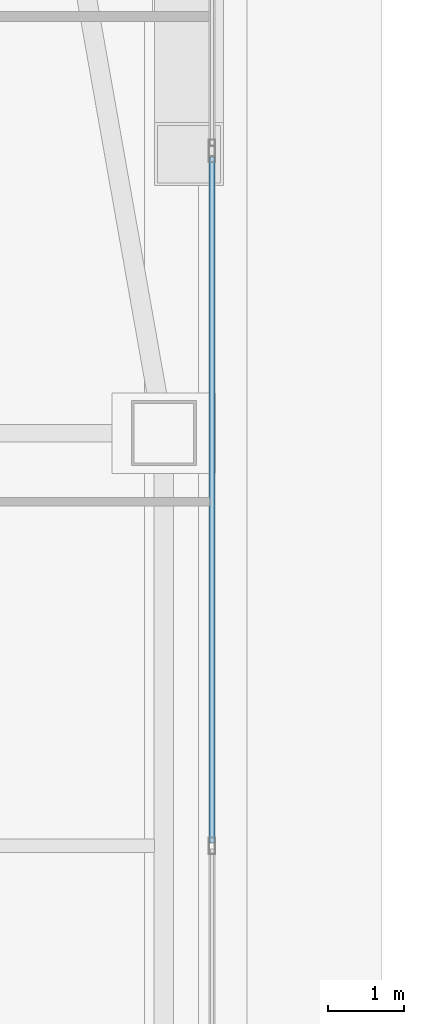
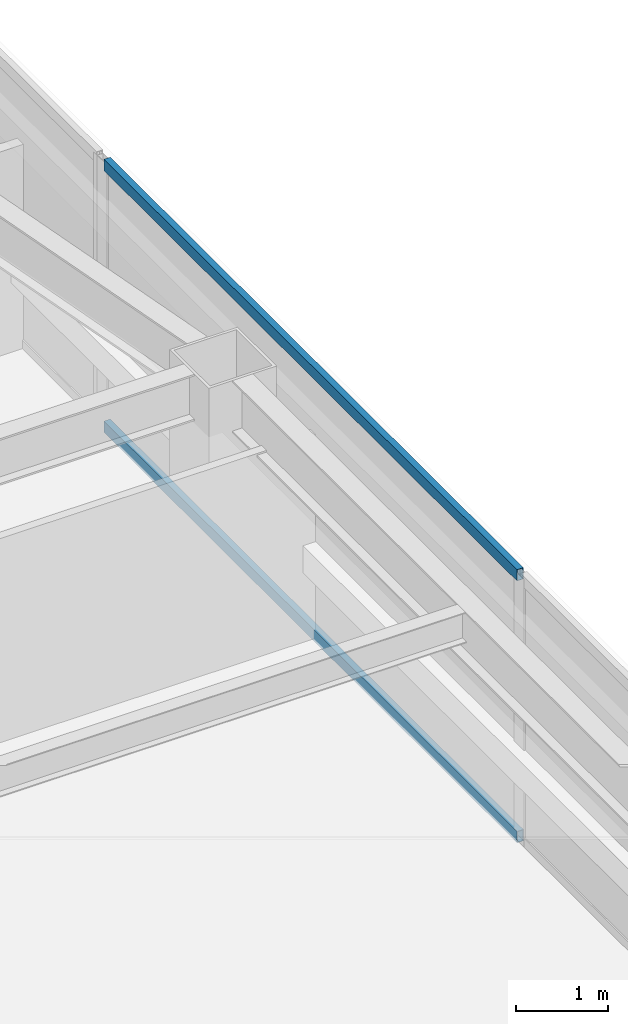
# One storey, part 18 of 67: 2 members, 1 element without a shape of its own.
"""IFC4 building model written with IfcOpenShell, lengths in metres."""

import ifcopenshell
import ifcopenshell.guid

model = None  # the IFC model being written
_history = None  # IfcOwnerHistory: only IFC2X3 demands one
_inside = {}  # id of a spatial element -> (the spatial element, [elements in it])
_under = {}  # id of a project, library or spatial element -> (it, [spatial elements below it])
_declared = {}  # id of a project -> (the project, [libraries it declares])
_typed = {}  # id of a type object -> (the type object, [elements of that type])
_made_of = {}  # id of a material, layer set ... -> (it, [elements and type objects made of it])


def new_model(schema):
    """Start an empty IFC model of exactly this schema.

    Asked for "IFC4X3", IfcOpenShell would pick the latest addendum, in which some entities
    have other attributes; the version numbers below select the first issue.
    IFC2X3 requires an IfcOwnerHistory on every rooted entity: one is made here for all.
    """
    global model, _history
    if schema == "IFC4X3":
        model = ifcopenshell.file(schema_version=(4, 3, 0, 0))
    else:
        model = ifcopenshell.file(schema=schema)
    _inside.clear()
    _under.clear()
    _declared.clear()
    _typed.clear()
    _made_of.clear()
    _history = None
    if model.schema == "IFC2X3":
        org = make("IfcOrganization", Name="unknown")
        user = make(
            "IfcPersonAndOrganization",
            ThePerson=make("IfcPerson", FamilyName="unknown"),
            TheOrganization=org,
        )
        app = make(
            "IfcApplication",
            ApplicationDeveloper=org,
            Version="unknown",
            ApplicationFullName="unknown",
            ApplicationIdentifier="unknown",
        )
        _history = make(
            "IfcOwnerHistory",
            OwningUser=user,
            OwningApplication=app,
            ChangeAction="ADDED",
            CreationDate=0,
        )
    return model


def make(cls, **values):
    """One entity of the class cls with the attributes given. An attribute that is None is left unset."""
    return model.create_entity(
        cls, **{name: value for name, value in values.items() if value is not None}
    )


def rooted(cls, **values):
    """An entity with a GlobalId (a new one), such as an element, a storey or a relation."""
    return make(cls, GlobalId=ifcopenshell.guid.new(), OwnerHistory=_history, **values)


def si_unit(unit_type, name, prefix=None):
    """IfcSIUnit, for example si_unit("LENGTHUNIT", "METRE", prefix="MILLI")."""
    return make("IfcSIUnit", UnitType=unit_type, Prefix=prefix, Name=name)


def assignment(units):
    """IfcUnitAssignment: the units of a project."""
    return None if units is None else make("IfcUnitAssignment", Units=units)


def point(xyz):
    """IfcCartesianPoint."""
    return None if xyz is None else make("IfcCartesianPoint", Coordinates=xyz)


def direction(xyz):
    """IfcDirection."""
    return None if xyz is None else make("IfcDirection", DirectionRatios=xyz)


def frame(location, z_axis=None, x_axis=None):
    """IfcAxis2Placement3D, a coordinate frame: its origin and axes. An axis left out is left unset."""
    return make(
        "IfcAxis2Placement3D",
        Location=point(location),
        Axis=direction(z_axis),
        RefDirection=direction(x_axis),
    )


def frame_2d(location, x_axis=None):
    """IfcAxis2Placement2D, a coordinate frame in the plane: its origin and x axis."""
    return make(
        "IfcAxis2Placement2D", Location=point(location), RefDirection=direction(x_axis)
    )


def origin():
    """The frame at (0, 0, 0) with its axes left unset."""
    return frame((0.0, 0.0, 0.0))


def origin_2d():
    """The frame at (0, 0) in the plane with its x axis left unset."""
    return frame_2d((0.0, 0.0))


def place(relative_to, where):
    """IfcLocalPlacement: puts the frame where relative to a parent placement (None: the world)."""
    return make(
        "IfcLocalPlacement", PlacementRelTo=relative_to, RelativePlacement=where
    )


def context(
    kind, dimensions, precision=None, world=None, true_north=None, identifier=None
):
    """IfcGeometricRepresentationContext, for example the 3D "Model" context."""
    return make(
        "IfcGeometricRepresentationContext",
        ContextIdentifier=identifier,
        ContextType=kind,
        CoordinateSpaceDimension=dimensions,
        Precision=precision,
        WorldCoordinateSystem=world,
        TrueNorth=true_north,
    )


def subcontext(parent, identifier, kind, view, scale=None):
    """IfcGeometricRepresentationSubContext, for example "Body" below "Model"."""
    return make(
        "IfcGeometricRepresentationSubContext",
        ContextIdentifier=identifier,
        ContextType=kind,
        ParentContext=parent,
        TargetScale=scale,
        TargetView=view,
    )


def project(units=None, contexts=None):
    """IfcProject with its units and contexts."""
    return rooted(
        "IfcProject",
        Name="project",
        RepresentationContexts=contexts,
        UnitsInContext=assignment(units),
    )


def spatial(cls, under=None, at=None, **own):
    """A site, building, storey or space (cls), placed at a placement, below another one or the project."""
    s = rooted(cls, ObjectPlacement=at, **own)
    if under is not None:
        _under.setdefault(under.id(), (under, []))[1].append(s)
    return s


def profile(cls, at=None, kind="AREA", **sizes):
    """A parametric profile (cls). Its sizes go by their IFC names, for example OverallWidth=200.0."""
    return make(cls, ProfileType=kind, Position=at, **sizes)


def hollow_rectangle(**sizes):
    """IfcRectangleHollowProfileDef."""
    return profile("IfcRectangleHollowProfileDef", **sizes)


def extrude(swept, where, along, depth):
    """IfcExtrudedAreaSolid: the profile swept, set in the frame where, extruded along a direction by depth."""
    return make(
        "IfcExtrudedAreaSolid",
        SweptArea=swept,
        Position=where,
        ExtrudedDirection=direction(along),
        Depth=depth,
    )


def shape(context_of_items, identifier, shape_type, items):
    """IfcShapeRepresentation: the items that make up one representation, for example the "Body"."""
    return make(
        "IfcShapeRepresentation",
        ContextOfItems=context_of_items,
        RepresentationIdentifier=identifier,
        RepresentationType=shape_type,
        Items=items,
    )


def material(Name=None, Category=None):
    """IfcMaterial."""
    return make("IfcMaterial", Name=Name, Category=Category)


def material_profile(
    of_material, cross_section, Name=None, Category=None, Priority=None
):
    """IfcMaterialProfile: a cross section and its material."""
    return make(
        "IfcMaterialProfile",
        Name=Name,
        Material=of_material,
        Profile=cross_section,
        Priority=Priority,
        Category=Category,
    )


def profile_set(profiles, Name=None, composite=None):
    """IfcMaterialProfileSet."""
    return make(
        "IfcMaterialProfileSet",
        Name=Name,
        MaterialProfiles=profiles,
        CompositeProfile=composite,
    )


def made_of(thing, what):
    """Note that an element or type object is made of a material, layer set ...; save() writes the relation."""
    if what is not None:
        _made_of.setdefault(what.id(), (what, []))[1].append(thing)
    return thing


def type_object(cls, material=None, **own):
    """A type object (cls), such as IfcWallType, which elements share."""
    return made_of(rooted(cls, **own), material)


def element(
    cls,
    number,
    at=None,
    inside=None,
    cuts=None,
    type_object=None,
    material=None,
    context=None,
    identifier="Body",
    shape_type=None,
    held_by="IfcProductDefinitionShape",
    body=None,
    shapes=None,
    **own,
):
    """One element of the class cls, such as IfcWall. Its Tag is "e" and its number.

    at: its placement. inside: the storey or other place that contains it. cuts: it is an
    opening in that element (IfcRelVoidsElement). A single representation is given by context,
    identifier, shape_type and body (its items); several are given by shapes. held_by: the class
    of the entity that holds the representations. save() writes the other relations.
    """
    e = rooted(cls, Tag="e%d" % number, ObjectPlacement=at, **own)
    if body is not None:
        shapes = [shape(context, identifier, shape_type, body)]
    if shapes is not None:
        e.Representation = make(held_by, Representations=shapes)
    if inside is not None:
        _inside.setdefault(inside.id(), (inside, []))[1].append(e)
    if cuts is not None:
        rooted(
            "IfcRelVoidsElement", RelatingBuildingElement=cuts, RelatedOpeningElement=e
        )
    if type_object is not None:
        _typed.setdefault(type_object.id(), (type_object, []))[1].append(e)
    return made_of(e, material)


def aggregate(whole, parts):
    """IfcRelAggregates: a whole, such as a stair, and the parts it consists of."""
    return rooted("IfcRelAggregates", RelatingObject=whole, RelatedObjects=parts)


def save(model, path):
    """Write the relations noted so far, then the file.

    IfcRelAggregates (storeys below a building ...), IfcRelContainedInSpatialStructure (elements
    in a storey), IfcRelDefinesByType, IfcRelAssociatesMaterial and IfcRelDeclares: one each for
    every whole, place, type object, material and project.
    """
    for whole, parts in _under.values():
        aggregate(whole, parts)
    for where, things in _inside.values():
        rooted(
            "IfcRelContainedInSpatialStructure",
            RelatedElements=things,
            RelatingStructure=where,
        )
    for kind, things in _typed.values():
        rooted("IfcRelDefinesByType", RelatedObjects=things, RelatingType=kind)
    for what, things in _made_of.values():
        rooted("IfcRelAssociatesMaterial", RelatedObjects=things, RelatingMaterial=what)
    for by, libraries in _declared.values():
        rooted("IfcRelDeclares", RelatingContext=by, RelatedDefinitions=libraries)
    model.write(path)


model = new_model("IFC4")

# Units and contexts
model_context = context("Model", 3, precision=1e-05, world=origin(), true_north=direction((0.0, 1.0)))
body_context = subcontext(model_context, "Body", "Model", "MODEL_VIEW")
ifc_project = project(units=[si_unit("LENGTHUNIT", "METRE"), si_unit("AREAUNIT", "SQUARE_METRE"), si_unit("VOLUMEUNIT", "CUBIC_METRE"), si_unit("PLANEANGLEUNIT", "RADIAN"), si_unit("MASSUNIT", "GRAM", prefix="KILO")], contexts=[model_context])

# Site, building, storey
site_placement = place(None, origin())
site = spatial("IfcSite", under=ifc_project, at=site_placement, CompositionType="ELEMENT")
building_placement = place(site_placement, origin())
building = spatial("IfcBuilding", under=site, at=building_placement, Name="Tashvorn Skyway Center", CompositionType="ELEMENT")
storey_placement = place(building_placement, frame((0.0, 0.0, 67.199951171875)))
storey = spatial("IfcBuildingStorey", under=building, at=storey_placement, Name="L17", CompositionType="ELEMENT", Elevation=67.199951171875)

# Curtain wall, members
ifc_material = material(Name="Thermally broken bronze-anodized aluminium 6063-T6", Category="aluminium")
curtain_wall_type = type_object("IfcCurtainWallType", Name="CW-CW-Z2", PredefinedType="NOTDEFINED", material=ifc_material)
curtain_wall_placement = place(storey_placement, origin())
curtain_wall = element("IfcCurtainWall", 1, at=curtain_wall_placement, inside=storey, type_object=curtain_wall_type, Name="Tower 1 L17 East Unitised Curtain Wall Glazing Group 2", PredefinedType="NOTDEFINED")
ifc_material_profile = material_profile(ifc_material, hollow_rectangle(XDim=0.080078125, YDim=0.14990234375, WallThickness=0.00439453125, at=origin_2d()), Name="ALU-TRAN-80x150")
ifc_profile_set = profile_set([ifc_material_profile], Name="Thermally broken bronze-anodized aluminium 6063-T6")
member_type = type_object("IfcMemberType", Name="CWT-CW-Z2", PredefinedType="USERDEFINED", material=ifc_profile_set)
member_1_placement = place(storey_placement, frame((62.97998046875, 41.010009765625, 0.0400390625), z_axis=(0.0, -1.0, 0.0), x_axis=(1.0, 0.0, 0.0)))
member_1 = element("IfcMember", 2, at=member_1_placement, type_object=member_type, Name="CW-Z2 transom 1.1", ObjectType="TRANSOM", PredefinedType="USERDEFINED", context=body_context, shape_type="SweptSolid", body=[
    extrude(hollow_rectangle(XDim=0.080078125, YDim=0.14990234375, WallThickness=0.00439453125, at=origin_2d()), origin(), (0.0, 0.0, 1.0), 8.969970703125),
])
member_2_placement = place(storey_placement, frame((62.97998046875, 41.010009765625, 3.510009765625), z_axis=(0.0, -1.0, 0.0), x_axis=(1.0, 0.0, 0.0)))
member_2 = element("IfcMember", 3, at=member_2_placement, type_object=member_type, Name="CW-Z2 transom 1.2", ObjectType="TRANSOM", PredefinedType="USERDEFINED", context=body_context, shape_type="SweptSolid", body=[
    extrude(hollow_rectangle(XDim=0.080078125, YDim=0.14990234375, WallThickness=0.00439453125, at=origin_2d()), origin(), (0.0, 0.0, 1.0), 8.969970703125),
])
aggregate(curtain_wall, [member_1, member_2])

save(model, "model.ifc")
